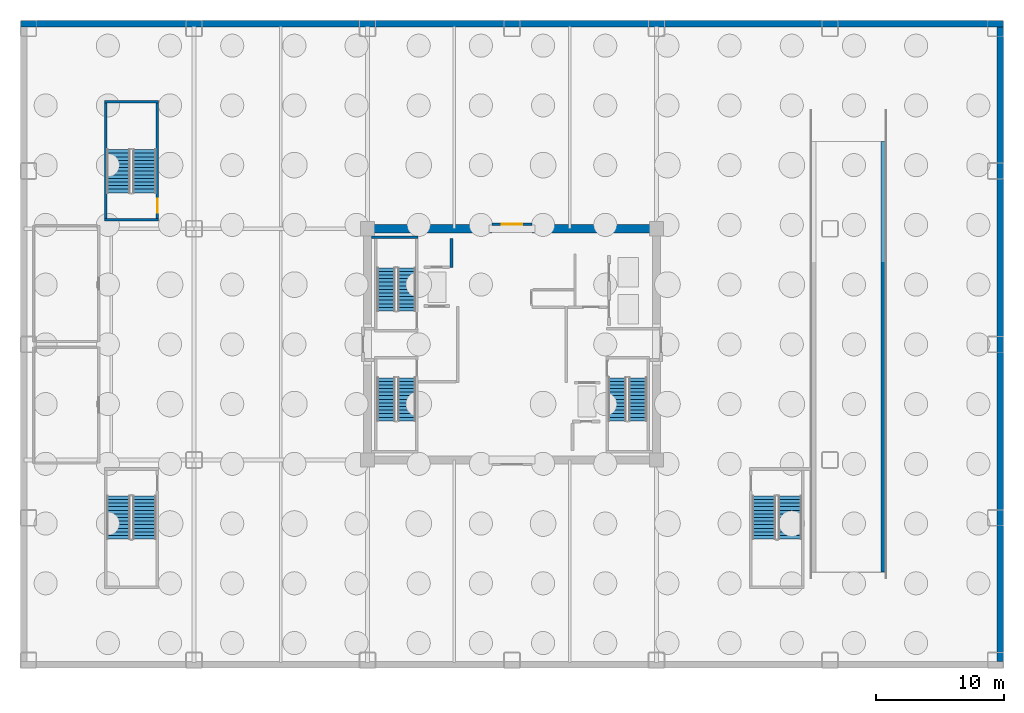
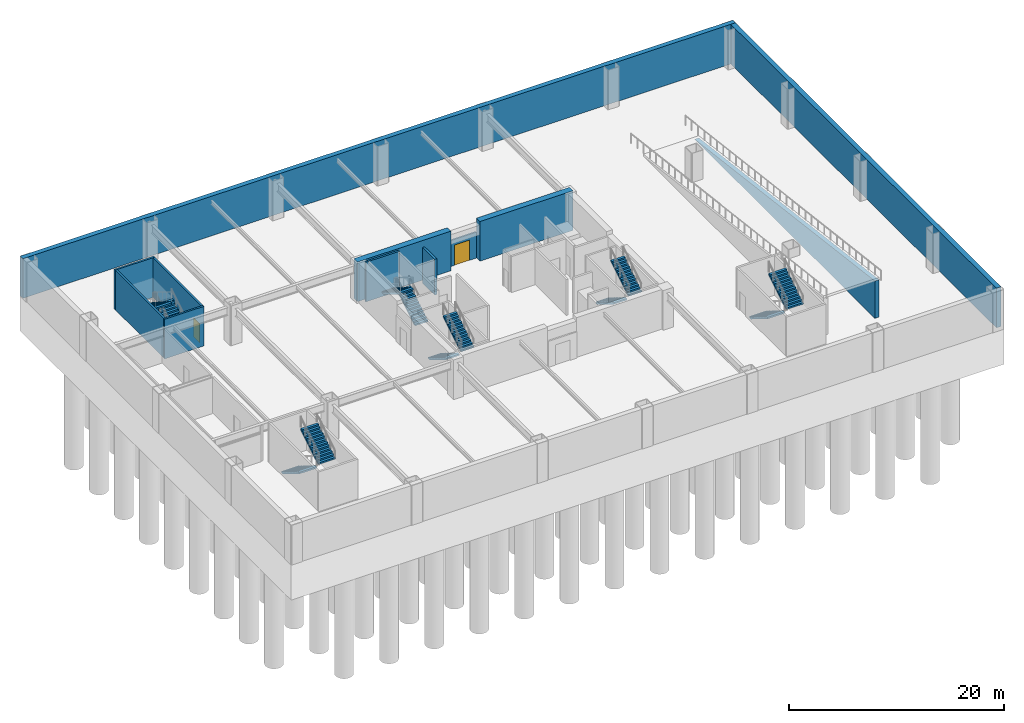
# One storey, part 6 of 11: 12 stair flights, 12 walls, 2 doors, 2 openings, 6 elements without a shape of their own.
"""IFC4 building model written with IfcOpenShell, lengths in metres."""

from ifc_helpers import new_model, si_unit, direction, frame, frame_2d, origin, place, context, subcontext, project, spatial, polyline, rectangle, outline, extrude, source, transform, mapped, material, layer, layer_set, type_object, element, fill, aggregate, save


model = new_model("IFC4")

# Units and contexts
model_context = context("Model", 3, precision=1e-05, world=origin(), true_north=direction((0.0, 1.0)))
body_context = subcontext(model_context, "Body", "Model", "MODEL_VIEW")
ifc_project = project(units=[si_unit("LENGTHUNIT", "METRE"), si_unit("AREAUNIT", "SQUARE_METRE"), si_unit("VOLUMEUNIT", "CUBIC_METRE"), si_unit("PLANEANGLEUNIT", "RADIAN"), si_unit("MASSUNIT", "GRAM", prefix="KILO")], contexts=[model_context])

# Site, building, storey
site_placement = place(None, origin())
site = spatial("IfcSite", under=ifc_project, at=site_placement, CompositionType="ELEMENT")
building_placement = place(site_placement, origin())
building = spatial("IfcBuilding", under=site, at=building_placement, Name="Nefas-Gora Pilgrimage Tower", CompositionType="ELEMENT")
storey_placement = place(building_placement, frame((0.0, 0.0, -9.0)))
storey = spatial("IfcBuildingStorey", under=building, at=storey_placement, Name="B02", CompositionType="ELEMENT", Elevation=-9.0)

# Walls
ifc_material_1 = material(Name="Concrete C45/55", Category="concrete")
ifc_layer_1 = layer(ifc_material_1, 0.449951171875)
ifc_layer_set_1 = layer_set([ifc_layer_1], Name="Concrete C45/55")
wall_type_1 = type_object("IfcWallType", Name="SW-RAMP-450", PredefinedType="SOLIDWALL", material=ifc_layer_set_1)
wall_1_placement = place(storey_placement, frame((28.949951171875, 15.800048828125, 0.0), z_axis=(0.0, 0.0, 1.0), x_axis=(0.0, -1.0, 0.0)))
element("IfcWall", 1, at=wall_1_placement, inside=storey, type_object=wall_type_1, Name="B02-B01 Vehicle Ramp Support Cheek Wall E", PredefinedType="SOLIDWALL", context=body_context, shape_type="SweptSolid", body=[
    extrude(outline(polyline([(0.0, 0.0), (33.530029296875, 0.0), (33.530029296875, 4.25), (0.0, 0.02001953125), (0.0, 0.0)])), frame((0.0, 0.22509765625, 0.0), z_axis=(0.0, -1.0, 0.0), x_axis=(1.0, 0.0, 0.0)), (0.0, 0.0, 1.0), 0.449951171875),
])
ifc_material_2 = material(Name="Concrete C60/75", Category="concrete")
ifc_layer_2 = layer(ifc_material_2, 0.64990234375)
ifc_layer_set_2 = layer_set([ifc_layer_2], Name="Concrete C60/75")
wall_type_2 = type_object("IfcWallType", Name="SW-CORE-650", PredefinedType="SHEAR", material=ifc_layer_set_2)
shared_shape_1 = source(origin(), body_context, "Body", "SweptSolid", [
    extrude(rectangle(XDim=10.02490234375, YDim=0.64990234375, at=frame_2d((5.012451171875, 0.0))), origin(), (0.0, 0.0, 1.0), 4.5),
])
for number, where, z_axis, x_axis, name in (
    (2, (-11.574951171875, 9.0, 0.0), (0.0, 0.0, 1.0), (1.0, 0.0, 0.0), "B02 Core Shear Wall N-West"),
    (3, (1.550048828125, 9.0, 0.0), (0.0, 0.0, 1.0), (1.0, 0.0, 0.0), "B02 Core Shear Wall N-East"),
):
    element("IfcWall", number, at=place(storey_placement, frame(where, z_axis=z_axis, x_axis=x_axis)), inside=storey, type_object=wall_type_2, Name=name, PredefinedType="SHEAR", context=body_context, shape_type="MappedRepresentation", body=[
        mapped(shared_shape_1, transform((0.0, 0.0, 0.0), x_axis=(1.0, 0.0, 0.0), y_axis=(0.0, 1.0, 0.0), z_axis=(0.0, 0.0, 1.0), scale=1.0)),
    ])
ifc_material_3 = material(Name="Concrete C50/60", Category="concrete")
ifc_layer_3 = layer(ifc_material_3, 0.5)
ifc_layer_set_3 = layer_set([ifc_layer_3], Name="Concrete C50/60")
wall_type_3 = type_object("IfcWallType", Name="RW-BSMT-500", PredefinedType="SOLIDWALL", material=ifc_layer_set_3)
shared_shape_2 = source(origin(), body_context, "Body", "SweptSolid", [
    extrude(rectangle(XDim=76.5, YDim=0.5, at=frame_2d((38.25, 0.0))), origin(), (0.0, 0.0, 1.0), 4.5),
])
wall_2_placement = place(storey_placement, frame((-38.25, 24.949951171875, 0.0), z_axis=(0.0, 0.0, 1.0), x_axis=(1.0, 0.0, 0.0)))
element("IfcWall", 4, at=wall_2_placement, inside=storey, type_object=wall_type_3, Name="B02 North Retaining Wall", PredefinedType="SOLIDWALL", context=body_context, shape_type="MappedRepresentation", body=[
    mapped(shared_shape_2, transform((0.0, 0.0, 0.0), x_axis=(1.0, 0.0, 0.0), y_axis=(0.0, 1.0, 0.0), z_axis=(0.0, 0.0, 1.0), scale=1.0)),
])
shared_shape_3 = source(origin(), body_context, "Body", "SweptSolid", [
    extrude(rectangle(XDim=49.39990234375, YDim=0.5, at=frame_2d((24.699951171875, 0.0))), origin(), (0.0, 0.0, 1.0), 4.5),
])
wall_3_placement = place(storey_placement, frame((38.0, -24.699951171875, 0.0), z_axis=(0.0, 0.0, 1.0), x_axis=(0.0, 1.0, 0.0)))
element("IfcWall", 5, at=wall_3_placement, inside=storey, type_object=wall_type_3, Name="B02 East Retaining Wall", PredefinedType="SOLIDWALL", context=body_context, shape_type="MappedRepresentation", body=[
    mapped(shared_shape_3, transform((0.0, 0.0, 0.0), x_axis=(1.0, 0.0, 0.0), y_axis=(0.0, 1.0, 0.0), z_axis=(0.0, 0.0, 1.0), scale=1.0)),
])
ifc_layer_4 = layer(ifc_material_1, 0.199951171875)
ifc_layer_set_4 = layer_set([ifc_layer_4], Name="Concrete C45/55")
wall_type_4 = type_object("IfcWallType", Name="IW-STAIR-200", PredefinedType="SOLIDWALL", material=ifc_layer_set_4)
shared_shape_4 = source(origin(), body_context, "Body", "SweptSolid", [
    extrude(rectangle(XDim=3.6298828125, YDim=0.199951171875, at=frame_2d((1.81494140625, 0.0))), origin(), (0.0, 0.0, 1.0), 4.5),
])
wall_4_placement = place(storey_placement, frame((-7.300048828125, 8.35009765625, 0.0), z_axis=(0.0, 0.0, 1.0), x_axis=(-1.0, 0.0, 0.0)))
element("IfcWall", 6, at=wall_4_placement, inside=storey, type_object=wall_type_4, Name="B02 Stairwell Shear Wall ST-01-far", PredefinedType="SOLIDWALL", context=body_context, shape_type="MappedRepresentation", body=[
    mapped(shared_shape_4, transform((0.0, 0.0, 0.0), x_axis=(1.0, 0.0, 0.0), y_axis=(0.0, 1.0, 0.0), z_axis=(0.0, 0.0, 1.0), scale=1.0)),
])
shared_shape_5 = source(origin(), body_context, "Body", "SweptSolid", [
    extrude(rectangle(XDim=4.239990234375, YDim=0.199951171875, at=frame_2d((2.1201171875, 0.0))), origin(), (0.0, 0.0, 1.0), 4.5),
])
for number, where, z_axis, x_axis, name in (
    (7, (-27.5, 9.699951171875, 0.0), (0.0, 0.0, 1.0), (-1.0, 0.0, 0.0), "B02 Stairwell Shear Wall ST-04-near"),
    (8, (-27.5, 18.89990234375, 0.0), (0.0, 0.0, 1.0), (-1.0, 0.0, 0.0), "B02 Stairwell Shear Wall ST-04-far"),
):
    element("IfcWall", number, at=place(storey_placement, frame(where, z_axis=z_axis, x_axis=x_axis)), inside=storey, type_object=wall_type_4, Name=name, PredefinedType="SOLIDWALL", context=body_context, shape_type="MappedRepresentation", body=[
        mapped(shared_shape_5, transform((0.0, 0.0, 0.0), x_axis=(1.0, 0.0, 0.0), y_axis=(0.0, 1.0, 0.0), z_axis=(0.0, 0.0, 1.0), scale=1.0)),
    ])

# Wall, opening, door
shared_shape_6 = source(origin(), body_context, "Body", "SweptSolid", [
    extrude(rectangle(XDim=9.0, YDim=0.199951171875, at=frame_2d((4.5, 0.0))), origin(), (0.0, 0.0, 1.0), 4.5),
])
wall_5_placement = place(storey_placement, frame((-27.60009765625, 9.800048828125, 0.0), z_axis=(0.0, 0.0, 1.0), x_axis=(0.0, 1.0, 0.0)))
wall_5 = element("IfcWall", 9, at=wall_5_placement, inside=storey, type_object=wall_type_4, Name="B02 Stairwell Shear Wall ST-04-left", PredefinedType="SOLIDWALL", context=body_context, shape_type="MappedRepresentation", body=[
    mapped(shared_shape_6, transform((0.0, 0.0, 0.0), x_axis=(1.0, 0.0, 0.0), y_axis=(0.0, 1.0, 0.0), z_axis=(0.0, 0.0, 1.0), scale=1.0)),
])
opening_1_placement = place(wall_5_placement, frame((0.449951171875, 0.0, 0.0)))
opening_1 = element("IfcOpeningElement", 10, at=opening_1_placement, cuts=wall_5, Name="Opening ID-ST1", PredefinedType="OPENING", context=body_context, shape_type="SweptSolid", body=[
    extrude(rectangle(XDim=1.10009765625, YDim=2.14990234375, at=frame_2d((0.550048828125, 1.074951171875))), frame((0.0, 0.10986328125, 0.0), z_axis=(0.0, -1.0, 0.0), x_axis=(1.0, 0.0, 0.0)), (0.0, 0.0, 1.0), 0.219970703125),
])
ifc_material_4 = material(Name="Painted galvanised steel fire stair door", Category="steel")
door_type_1 = type_object("IfcDoorType", Name="DR-INT-STAIR-1100", OperationType="NOTDEFINED", PredefinedType="DOOR", material=ifc_material_4)
shared_shape_7 = source(origin(), body_context, "Body", "SweptSolid", [
    extrude(rectangle(XDim=1.10009765625, YDim=2.14990234375, at=frame_2d((0.550048828125, 1.074951171875))), frame((0.0, 0.02490234375, 0.0), z_axis=(0.0, -1.0, 0.0), x_axis=(1.0, 0.0, 0.0)), (0.0, 0.0, 1.0), 0.050048828125),
])
door_1_placement = place(opening_1_placement, origin())
door_1 = element("IfcDoor", 11, at=door_1_placement, inside=storey, type_object=door_type_1, Name="B02 Protected Exit Stair Door ST-04", OperationType="SINGLE_SWING_RIGHT", OverallHeight=2.14990234375, OverallWidth=1.10009765625, PredefinedType="DOOR", context=body_context, shape_type="MappedRepresentation", body=[
    mapped(shared_shape_7, transform((0.0, 0.0, 0.0), x_axis=(1.0, 0.0, 0.0), y_axis=(0.0, 1.0, 0.0), z_axis=(0.0, 0.0, 1.0), scale=1.0)),
])
fill(opening_1, door_1)

# Walls
wall_6_placement = place(storey_placement, frame((-31.639892578125, 9.800048828125, 0.0), z_axis=(0.0, 0.0, 1.0), x_axis=(0.0, 1.0, 0.0)))
element("IfcWall", 12, at=wall_6_placement, inside=storey, type_object=wall_type_4, Name="B02 Stairwell Shear Wall ST-04-right", PredefinedType="SOLIDWALL", context=body_context, shape_type="MappedRepresentation", body=[
    mapped(shared_shape_6, transform((0.0, 0.0, 0.0), x_axis=(1.0, 0.0, 0.0), y_axis=(0.0, 1.0, 0.0), z_axis=(0.0, 0.0, 1.0), scale=1.0)),
])
ifc_material_5 = material(Name="Concrete C40/50", Category="concrete")
ifc_layer_5 = layer(ifc_material_5, 0.219970703125)
ifc_layer_set_5 = layer_set([ifc_layer_5], Name="Concrete C40/50")
wall_type_5 = type_object("IfcWallType", Name="IW-SHAFT-220", PredefinedType="SOLIDWALL", material=ifc_layer_set_5)
shared_shape_8 = source(origin(), body_context, "Body", "SweptSolid", [
    extrude(rectangle(XDim=2.25, YDim=0.219970703125, at=frame_2d((1.125, 0.0))), origin(), (0.0, 0.0, 1.0), 4.06494140625),
])
wall_7_placement = place(storey_placement, frame((-4.719970703125, 6.0, 0.0), z_axis=(0.0, 0.0, 1.0), x_axis=(0.0, 1.0, 0.0)))
element("IfcWall", 13, at=wall_7_placement, inside=storey, type_object=wall_type_5, Name="B02 Riser Shaft Wall 1", PredefinedType="SOLIDWALL", context=body_context, shape_type="MappedRepresentation", body=[
    mapped(shared_shape_8, transform((0.0, 0.0, 0.0), x_axis=(1.0, 0.0, 0.0), y_axis=(0.0, 1.0, 0.0), z_axis=(0.0, 0.0, 1.0), scale=1.0)),
])

# Wall, opening, door
ifc_material_6 = material(Name="Gypsum acoustic stud partition")
ifc_layer_6 = layer(ifc_material_6, 0.159912109375)
ifc_layer_set_6 = layer_set([ifc_layer_6], Name="Gypsum acoustic stud partition")
wall_type_6 = type_object("IfcWallType", Name="IW-CORR-160", PredefinedType="PARTITIONING", material=ifc_layer_set_6)
shared_shape_9 = source(origin(), body_context, "Body", "SweptSolid", [
    extrude(rectangle(XDim=3.08984375, YDim=0.159912109375, at=frame_2d((1.544921875, 0.0))), origin(), (0.0, 0.0, 1.0), 2.955078125),
])
wall_8_placement = place(storey_placement, frame((-1.544921875, 9.35009765625, 0.0), z_axis=(0.0, 0.0, 1.0), x_axis=(1.0, 0.0, 0.0)))
wall_8 = element("IfcWall", 14, at=wall_8_placement, inside=storey, type_object=wall_type_6, Name="B02 Central Lift Lobby North Portal Wall 16", PredefinedType="PARTITIONING", context=body_context, shape_type="MappedRepresentation", body=[
    mapped(shared_shape_9, transform((0.0, 0.0, 0.0), x_axis=(1.0, 0.0, 0.0), y_axis=(0.0, 1.0, 0.0), z_axis=(0.0, 0.0, 1.0), scale=1.0)),
])
opening_2_placement = place(wall_8_placement, frame((0.7451171875, 0.0, 0.0)))
opening_2 = element("IfcOpeningElement", 15, at=opening_2_placement, cuts=wall_8, Name="Opening ID-HL1", PredefinedType="OPENING", context=body_context, shape_type="SweptSolid", body=[
    extrude(rectangle(XDim=1.60009765625, YDim=2.300048828125, at=frame_2d((0.800048828125, 1.14990234375))), frame((0.0, 0.08984375, 0.0), z_axis=(0.0, -1.0, 0.0), x_axis=(1.0, 0.0, 0.0)), (0.0, 0.0, 1.0), 0.179931640625),
])
ifc_material_7 = material(Name="Double acoustic timber assembly hall door", Category="wood")
door_type_2 = type_object("IfcDoorType", Name="DR-INT-HALL-1600", OperationType="DOUBLE_DOOR_SINGLE_SWING", PredefinedType="DOOR", material=ifc_material_7)
shared_shape_10 = source(origin(), body_context, "Body", "SweptSolid", [
    extrude(rectangle(XDim=1.60009765625, YDim=2.300048828125, at=frame_2d((0.800048828125, 1.14990234375))), frame((0.0, 0.02490234375, 0.0), z_axis=(0.0, -1.0, 0.0), x_axis=(1.0, 0.0, 0.0)), (0.0, 0.0, 1.0), 0.050048828125),
])
door_2_placement = place(opening_2_placement, origin())
door_2 = element("IfcDoor", 16, at=door_2_placement, inside=storey, type_object=door_type_2, Name="B02 Central Lift Lobby North Portal Door 6", OperationType="DOUBLE_DOOR_SINGLE_SWING", OverallHeight=2.300048828125, OverallWidth=1.60009765625, PredefinedType="DOOR", context=body_context, shape_type="MappedRepresentation", body=[
    mapped(shared_shape_10, transform((0.0, 0.0, 0.0), x_axis=(1.0, 0.0, 0.0), y_axis=(0.0, 1.0, 0.0), z_axis=(0.0, 0.0, 1.0), scale=1.0)),
])
fill(opening_2, door_2)

# Stair, stair flights
stair_type_1 = type_object("IfcStairType", Name="STR-1400-R1731", PredefinedType="HALF_TURN_STAIR", material=ifc_material_1)
stair_1_placement = place(storey_placement, origin())
stair_1 = element("IfcStair", 17, at=stair_1_placement, inside=storey, type_object=stair_type_1, Name="B02 Pressurised Tower Exit Stair ST-01", PredefinedType="HALF_TURN_STAIR")
stair_flight_type_1 = type_object("IfcStairFlightType", Name="STF-1400-R1731", PredefinedType="STRAIGHT", material=ifc_material_1)
shared_shape_11 = source(origin(), body_context, "Body", "SweptSolid", [
    extrude(outline(polyline([(0.0, 0.0), (0.0, 0.173095703125), (0.280029296875, 0.173095703125), (0.280029296875, 0.34619140625), (0.56005859375, 0.34619140625), (0.56005859375, 0.519287109375), (0.840087890625, 0.519287109375), (0.840087890625, 0.6923828125), (1.1201171875, 0.6923828125), (1.1201171875, 0.865478515625), (1.39990234375, 0.865478515625), (1.39990234375, 1.03857421875), (1.679931640625, 1.03857421875), (1.679931640625, 1.21142578125), (1.9599609375, 1.21142578125), (1.9599609375, 1.384521484375), (2.239990234375, 1.384521484375), (2.239990234375, 1.5576171875), (2.52001953125, 1.5576171875), (2.52001953125, 1.730712890625), (2.800048828125, 1.730712890625), (2.800048828125, 1.90380859375), (3.080078125, 1.90380859375), (3.080078125, 2.076904296875), (3.360107421875, 2.076904296875), (3.360107421875, 2.25), (3.360107421875, 1.900634765625), (0.28515625, 0.0), (0.0, 0.0)])), frame((0.0, 0.699951171875, 0.0), z_axis=(0.0, -1.0, 0.0), x_axis=(1.0, 0.0, 0.0)), (0.0, 0.0, 1.0), 1.39990234375),
])
stair_flight_1_placement = place(storey_placement, frame((-8.199951171875, 2.60009765625, 0.0), z_axis=(0.0, 0.0, 1.0), x_axis=(0.0, 1.0, 0.0)))
stair_flight_1 = element("IfcStairFlight", 18, at=stair_flight_1_placement, type_object=stair_flight_type_1, Name="ST-01 flight 1", NumberOfRisers=13, NumberOfTreads=12, PredefinedType="STRAIGHT", RiserHeight=0.173076923, TreadLength=0.28, context=body_context, shape_type="MappedRepresentation", body=[
    mapped(shared_shape_11, transform((0.0, 0.0, 0.0), x_axis=(1.0, 0.0, 0.0), y_axis=(0.0, 1.0, 0.0), z_axis=(0.0, 0.0, 1.0), scale=1.0)),
])
stair_flight_2_placement = place(storey_placement, frame((-9.800048828125, 5.9599609375, 2.25), z_axis=(0.0, 0.0, 1.0), x_axis=(0.0, -1.0, 0.0)))
stair_flight_2 = element("IfcStairFlight", 19, at=stair_flight_2_placement, type_object=stair_flight_type_1, Name="ST-01 flight 2", NumberOfRisers=13, NumberOfTreads=12, PredefinedType="STRAIGHT", RiserHeight=0.173076923, TreadLength=0.28, context=body_context, shape_type="MappedRepresentation", body=[
    mapped(shared_shape_11, transform((0.0, 0.0, 0.0), x_axis=(1.0, 0.0, 0.0), y_axis=(0.0, 1.0, 0.0), z_axis=(0.0, 0.0, 1.0), scale=1.0)),
])
aggregate(stair_1, [stair_flight_1, stair_flight_2])

stair_2_placement = place(storey_placement, origin())
stair_2 = element("IfcStair", 20, at=stair_2_placement, inside=storey, type_object=stair_type_1, Name="B02 Pressurised Tower Exit Stair ST-02", PredefinedType="HALF_TURN_STAIR")
stair_flight_3_placement = place(storey_placement, frame((8.199951171875, -2.60009765625, 0.0), z_axis=(0.0, 0.0, 1.0), x_axis=(0.0, -1.0, 0.0)))
stair_flight_3 = element("IfcStairFlight", 21, at=stair_flight_3_placement, type_object=stair_flight_type_1, Name="ST-02 flight 1", NumberOfRisers=13, NumberOfTreads=12, PredefinedType="STRAIGHT", RiserHeight=0.173076923, TreadLength=0.28, context=body_context, shape_type="MappedRepresentation", body=[
    mapped(shared_shape_11, transform((0.0, 0.0, 0.0), x_axis=(1.0, 0.0, 0.0), y_axis=(0.0, 1.0, 0.0), z_axis=(0.0, 0.0, 1.0), scale=1.0)),
])
stair_flight_4_placement = place(storey_placement, frame((9.800048828125, -5.9599609375, 2.25), z_axis=(0.0, 0.0, 1.0), x_axis=(0.0, 1.0, 0.0)))
stair_flight_4 = element("IfcStairFlight", 22, at=stair_flight_4_placement, type_object=stair_flight_type_1, Name="ST-02 flight 2", NumberOfRisers=13, NumberOfTreads=12, PredefinedType="STRAIGHT", RiserHeight=0.173076923, TreadLength=0.28, context=body_context, shape_type="MappedRepresentation", body=[
    mapped(shared_shape_11, transform((0.0, 0.0, 0.0), x_axis=(1.0, 0.0, 0.0), y_axis=(0.0, 1.0, 0.0), z_axis=(0.0, 0.0, 1.0), scale=1.0)),
])
aggregate(stair_2, [stair_flight_3, stair_flight_4])

stair_3_placement = place(storey_placement, origin())
stair_3 = element("IfcStair", 23, at=stair_3_placement, inside=storey, type_object=stair_type_1, Name="B02 Pressurised Tower Exit Stair ST-03", PredefinedType="HALF_TURN_STAIR")
stair_flight_5_placement = place(storey_placement, frame((-9.800048828125, -2.60009765625, 0.0), z_axis=(0.0, 0.0, 1.0), x_axis=(0.0, -1.0, 0.0)))
stair_flight_5 = element("IfcStairFlight", 24, at=stair_flight_5_placement, type_object=stair_flight_type_1, Name="ST-03 flight 1", NumberOfRisers=13, NumberOfTreads=12, PredefinedType="STRAIGHT", RiserHeight=0.173076923, TreadLength=0.28, context=body_context, shape_type="MappedRepresentation", body=[
    mapped(shared_shape_11, transform((0.0, 0.0, 0.0), x_axis=(1.0, 0.0, 0.0), y_axis=(0.0, 1.0, 0.0), z_axis=(0.0, 0.0, 1.0), scale=1.0)),
])
stair_flight_6_placement = place(storey_placement, frame((-8.199951171875, -5.9599609375, 2.25), z_axis=(0.0, 0.0, 1.0), x_axis=(0.0, 1.0, 0.0)))
stair_flight_6 = element("IfcStairFlight", 25, at=stair_flight_6_placement, type_object=stair_flight_type_1, Name="ST-03 flight 2", NumberOfRisers=13, NumberOfTreads=12, PredefinedType="STRAIGHT", RiserHeight=0.173076923, TreadLength=0.28, context=body_context, shape_type="MappedRepresentation", body=[
    mapped(shared_shape_11, transform((0.0, 0.0, 0.0), x_axis=(1.0, 0.0, 0.0), y_axis=(0.0, 1.0, 0.0), z_axis=(0.0, 0.0, 1.0), scale=1.0)),
])
aggregate(stair_3, [stair_flight_5, stair_flight_6])

stair_type_2 = type_object("IfcStairType", Name="STR-1820-R1731", PredefinedType="HALF_TURN_STAIR", material=ifc_material_1)
stair_4_placement = place(storey_placement, origin())
stair_4 = element("IfcStair", 26, at=stair_4_placement, inside=storey, type_object=stair_type_2, Name="B02 Podium Exit Stair ST-04", PredefinedType="HALF_TURN_STAIR")
stair_flight_type_2 = type_object("IfcStairFlightType", Name="STF-1820-R1731", PredefinedType="STRAIGHT", material=ifc_material_1)
shared_shape_12 = source(origin(), body_context, "Body", "SweptSolid", [
    extrude(outline(polyline([(0.0, 0.0), (0.0, 0.173095703125), (0.280029296875, 0.173095703125), (0.280029296875, 0.34619140625), (0.56005859375, 0.34619140625), (0.56005859375, 0.519287109375), (0.840087890625, 0.519287109375), (0.840087890625, 0.6923828125), (1.1201171875, 0.6923828125), (1.1201171875, 0.865478515625), (1.39990234375, 0.865478515625), (1.39990234375, 1.03857421875), (1.679931640625, 1.03857421875), (1.679931640625, 1.21142578125), (1.9599609375, 1.21142578125), (1.9599609375, 1.384521484375), (2.239990234375, 1.384521484375), (2.239990234375, 1.5576171875), (2.52001953125, 1.5576171875), (2.52001953125, 1.730712890625), (2.800048828125, 1.730712890625), (2.800048828125, 1.90380859375), (3.080078125, 1.90380859375), (3.080078125, 2.076904296875), (3.360107421875, 2.076904296875), (3.360107421875, 2.25), (3.360107421875, 1.900634765625), (0.28515625, 0.0), (0.0, 0.0)])), frame((0.0, 0.91015625, 0.0), z_axis=(0.0, -1.0, 0.0), x_axis=(1.0, 0.0, 0.0)), (0.0, 0.0, 1.0), 1.820068359375),
])
stair_flight_7_placement = place(storey_placement, frame((-28.610107421875, 11.800048828125, 0.0), z_axis=(0.0, 0.0, 1.0), x_axis=(0.0, 1.0, 0.0)))
stair_flight_7 = element("IfcStairFlight", 27, at=stair_flight_7_placement, type_object=stair_flight_type_2, Name="ST-04 flight 1", NumberOfRisers=13, NumberOfTreads=12, PredefinedType="STRAIGHT", RiserHeight=0.173076923, TreadLength=0.28, context=body_context, shape_type="MappedRepresentation", body=[
    mapped(shared_shape_12, transform((0.0, 0.0, 0.0), x_axis=(1.0, 0.0, 0.0), y_axis=(0.0, 1.0, 0.0), z_axis=(0.0, 0.0, 1.0), scale=1.0)),
])
stair_flight_8_placement = place(storey_placement, frame((-30.6298828125, 15.159912109375, 2.25), z_axis=(0.0, 0.0, 1.0), x_axis=(0.0, -1.0, 0.0)))
stair_flight_8 = element("IfcStairFlight", 28, at=stair_flight_8_placement, type_object=stair_flight_type_2, Name="ST-04 flight 2", NumberOfRisers=13, NumberOfTreads=12, PredefinedType="STRAIGHT", RiserHeight=0.173076923, TreadLength=0.28, context=body_context, shape_type="MappedRepresentation", body=[
    mapped(shared_shape_12, transform((0.0, 0.0, 0.0), x_axis=(1.0, 0.0, 0.0), y_axis=(0.0, 1.0, 0.0), z_axis=(0.0, 0.0, 1.0), scale=1.0)),
])
aggregate(stair_4, [stair_flight_7, stair_flight_8])

stair_5_placement = place(storey_placement, origin())
stair_5 = element("IfcStair", 29, at=stair_5_placement, inside=storey, type_object=stair_type_2, Name="B02 Podium Exit Stair ST-05", PredefinedType="HALF_TURN_STAIR")
stair_flight_9_placement = place(storey_placement, frame((-30.6298828125, -11.800048828125, 0.0), z_axis=(0.0, 0.0, 1.0), x_axis=(0.0, -1.0, 0.0)))
stair_flight_9 = element("IfcStairFlight", 30, at=stair_flight_9_placement, type_object=stair_flight_type_2, Name="ST-05 flight 1", NumberOfRisers=13, NumberOfTreads=12, PredefinedType="STRAIGHT", RiserHeight=0.173076923, TreadLength=0.28, context=body_context, shape_type="MappedRepresentation", body=[
    mapped(shared_shape_12, transform((0.0, 0.0, 0.0), x_axis=(1.0, 0.0, 0.0), y_axis=(0.0, 1.0, 0.0), z_axis=(0.0, 0.0, 1.0), scale=1.0)),
])
stair_flight_10_placement = place(storey_placement, frame((-28.610107421875, -15.159912109375, 2.25), z_axis=(0.0, 0.0, 1.0), x_axis=(0.0, 1.0, 0.0)))
stair_flight_10 = element("IfcStairFlight", 31, at=stair_flight_10_placement, type_object=stair_flight_type_2, Name="ST-05 flight 2", NumberOfRisers=13, NumberOfTreads=12, PredefinedType="STRAIGHT", RiserHeight=0.173076923, TreadLength=0.28, context=body_context, shape_type="MappedRepresentation", body=[
    mapped(shared_shape_12, transform((0.0, 0.0, 0.0), x_axis=(1.0, 0.0, 0.0), y_axis=(0.0, 1.0, 0.0), z_axis=(0.0, 0.0, 1.0), scale=1.0)),
])
aggregate(stair_5, [stair_flight_9, stair_flight_10])

stair_6_placement = place(storey_placement, origin())
stair_6 = element("IfcStair", 32, at=stair_6_placement, inside=storey, type_object=stair_type_2, Name="B02 Podium Exit Stair ST-06", PredefinedType="HALF_TURN_STAIR")
stair_flight_11_placement = place(storey_placement, frame((19.610107421875, -11.800048828125, 0.0), z_axis=(0.0, 0.0, 1.0), x_axis=(0.0, -1.0, 0.0)))
stair_flight_11 = element("IfcStairFlight", 33, at=stair_flight_11_placement, type_object=stair_flight_type_2, Name="ST-06 flight 1", NumberOfRisers=13, NumberOfTreads=12, PredefinedType="STRAIGHT", RiserHeight=0.173076923, TreadLength=0.28, context=body_context, shape_type="MappedRepresentation", body=[
    mapped(shared_shape_12, transform((0.0, 0.0, 0.0), x_axis=(1.0, 0.0, 0.0), y_axis=(0.0, 1.0, 0.0), z_axis=(0.0, 0.0, 1.0), scale=1.0)),
])
stair_flight_12_placement = place(storey_placement, frame((21.6298828125, -15.159912109375, 2.25), z_axis=(0.0, 0.0, 1.0), x_axis=(0.0, 1.0, 0.0)))
stair_flight_12 = element("IfcStairFlight", 34, at=stair_flight_12_placement, type_object=stair_flight_type_2, Name="ST-06 flight 2", NumberOfRisers=13, NumberOfTreads=12, PredefinedType="STRAIGHT", RiserHeight=0.173076923, TreadLength=0.28, context=body_context, shape_type="MappedRepresentation", body=[
    mapped(shared_shape_12, transform((0.0, 0.0, 0.0), x_axis=(1.0, 0.0, 0.0), y_axis=(0.0, 1.0, 0.0), z_axis=(0.0, 0.0, 1.0), scale=1.0)),
])
aggregate(stair_6, [stair_flight_11, stair_flight_12])

save(model, "model.ifc")
